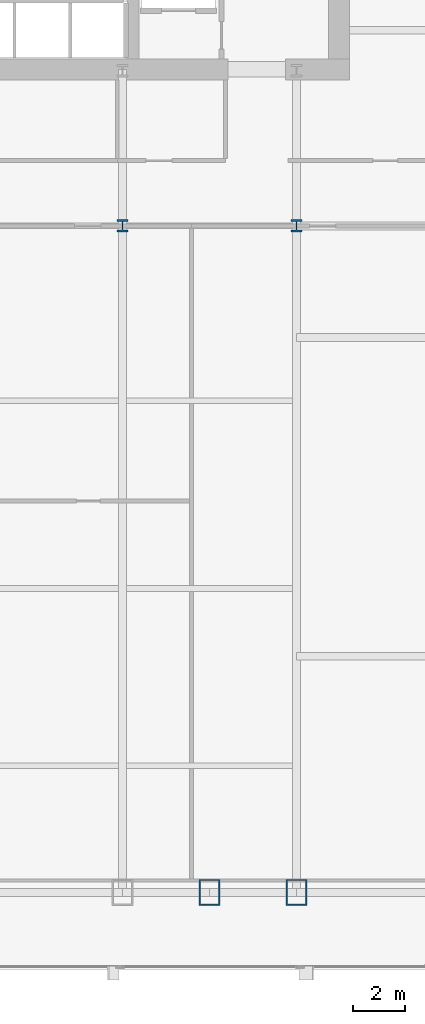
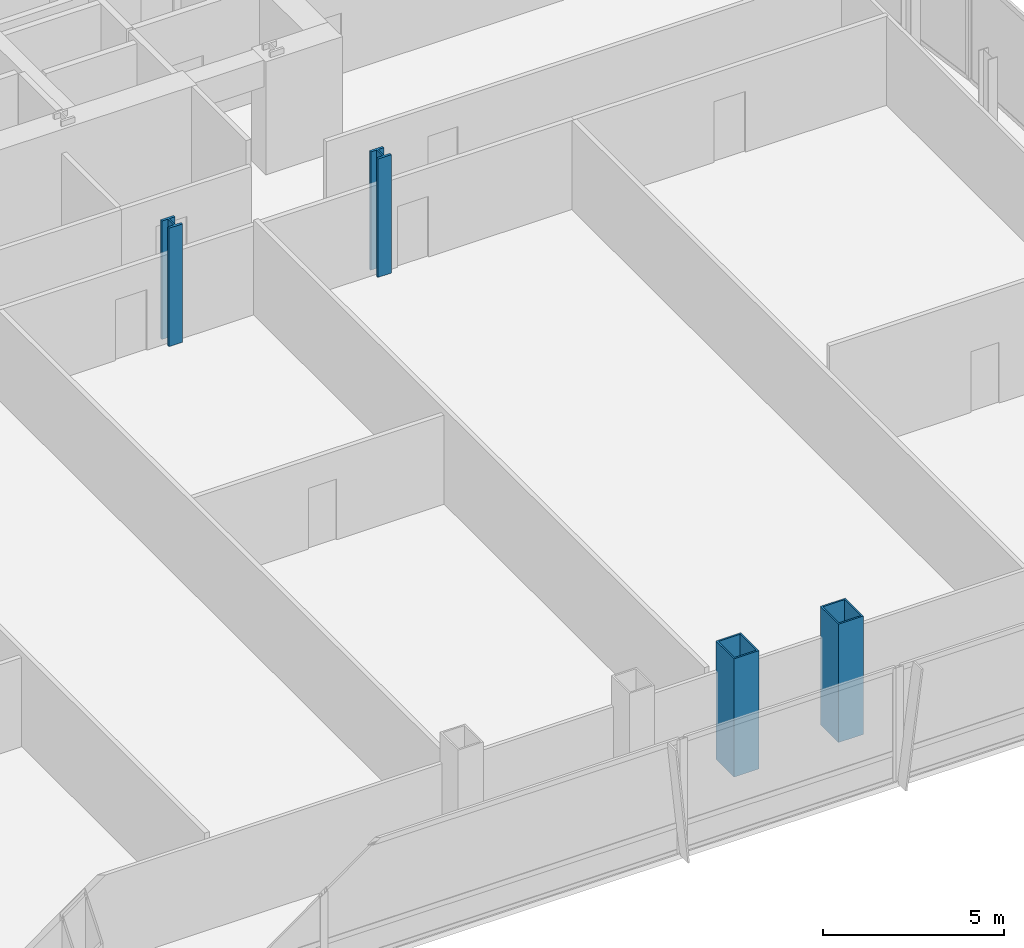
# One storey, part 2 of 32: 4 columns.
"""IFC4 building model written with IfcOpenShell, lengths in metres."""

from ifc_helpers import new_model, si_unit, direction, frame, origin, origin_2d, place, context, subcontext, project, spatial, hollow_rectangle, i_section, extrude, material, material_profile, profile_set, type_object, element, save


model = new_model("IFC4")

# Units and contexts
model_context = context("Model", 3, precision=1e-05, world=origin(), true_north=direction((0.0, 1.0)))
body_context = subcontext(model_context, "Body", "Model", "MODEL_VIEW")
ifc_project = project(units=[si_unit("LENGTHUNIT", "METRE"), si_unit("AREAUNIT", "SQUARE_METRE"), si_unit("VOLUMEUNIT", "CUBIC_METRE"), si_unit("PLANEANGLEUNIT", "RADIAN"), si_unit("MASSUNIT", "GRAM", prefix="KILO")], contexts=[model_context])

# Site, building, storey
site_placement = place(None, origin())
site = spatial("IfcSite", under=ifc_project, at=site_placement, CompositionType="ELEMENT")
building_placement = place(site_placement, origin())
building = spatial("IfcBuilding", under=site, at=building_placement, Name="Khoronbel Lancet Exchange", CompositionType="ELEMENT")
storey_placement = place(building_placement, frame((0.0, 0.0, 65.800048828125)))
storey = spatial("IfcBuildingStorey", under=building, at=storey_placement, Name="L15", CompositionType="ELEMENT", Elevation=65.800048828125)

# Columns
ifc_material = material(Name="Steel S460", Category="steel")
ifc_material_profile_1 = material_profile(ifc_material, hollow_rectangle(XDim=0.800048828125, YDim=1.0, WallThickness=0.054931640625, at=origin_2d()), Name="BOX 1000x800x55")
ifc_profile_set_1 = profile_set([ifc_material_profile_1], Name="Steel S460")
column_type_1 = type_object("IfcColumnType", Name="COL-EC1", PredefinedType="COLUMN", material=ifc_profile_set_1)
for number, where, z_axis, x_axis, name in (
    (1, (51.33740234375, 10.14990234375, 0.0), (0.0, 0.0, 1.0), (1.0, 0.0, 0.0), "Structural column SC-EM L15"),
    (2, (54.675048828125, 10.14990234375, 0.0), (0.0, 0.0, 1.0), (1.0, 0.0, 0.0), "Structural column SC-E2 L15"),
):
    element("IfcColumn", number, at=place(storey_placement, frame(where, z_axis=z_axis, x_axis=x_axis)), inside=storey, type_object=column_type_1, Name=name, PredefinedType="COLUMN", context=body_context, shape_type="SweptSolid", body=[
        extrude(hollow_rectangle(XDim=0.800048828125, YDim=1.0, WallThickness=0.054931640625, at=origin_2d()), origin(), (0.0, 0.0, 1.0), 4.0),
    ])
ifc_material_profile_2 = material_profile(ifc_material, i_section(OverallWidth=0.424072265625, OverallDepth=0.47412109375, WebThickness=0.047607421875, FlangeThickness=0.076904296875, at=origin_2d()), Name="HD 400x634")
ifc_profile_set_2 = profile_set([ifc_material_profile_2], Name="Steel S460")
column_type_2 = type_object("IfcColumnType", Name="COL-IC1", PredefinedType="COLUMN", material=ifc_profile_set_2)
for number, where, z_axis, x_axis, name in (
    (3, (48.0, 35.699951171875, 0.0), (0.0, 0.0, 1.0), (1.0, 0.0, 0.0), "Spine gravity column TC3 L15"),
    (4, (54.675048828125, 35.699951171875, 0.0), (0.0, 0.0, 1.0), (1.0, 0.0, 0.0), "Spine gravity column TC4 L15"),
):
    element("IfcColumn", number, at=place(storey_placement, frame(where, z_axis=z_axis, x_axis=x_axis)), inside=storey, type_object=column_type_2, Name=name, PredefinedType="COLUMN", context=body_context, shape_type="SweptSolid", body=[
        extrude(i_section(OverallWidth=0.424072265625, OverallDepth=0.47412109375, WebThickness=0.047607421875, FlangeThickness=0.076904296875, at=origin_2d()), origin(), (0.0, 0.0, 1.0), 4.0),
    ])

save(model, "model.ifc")
